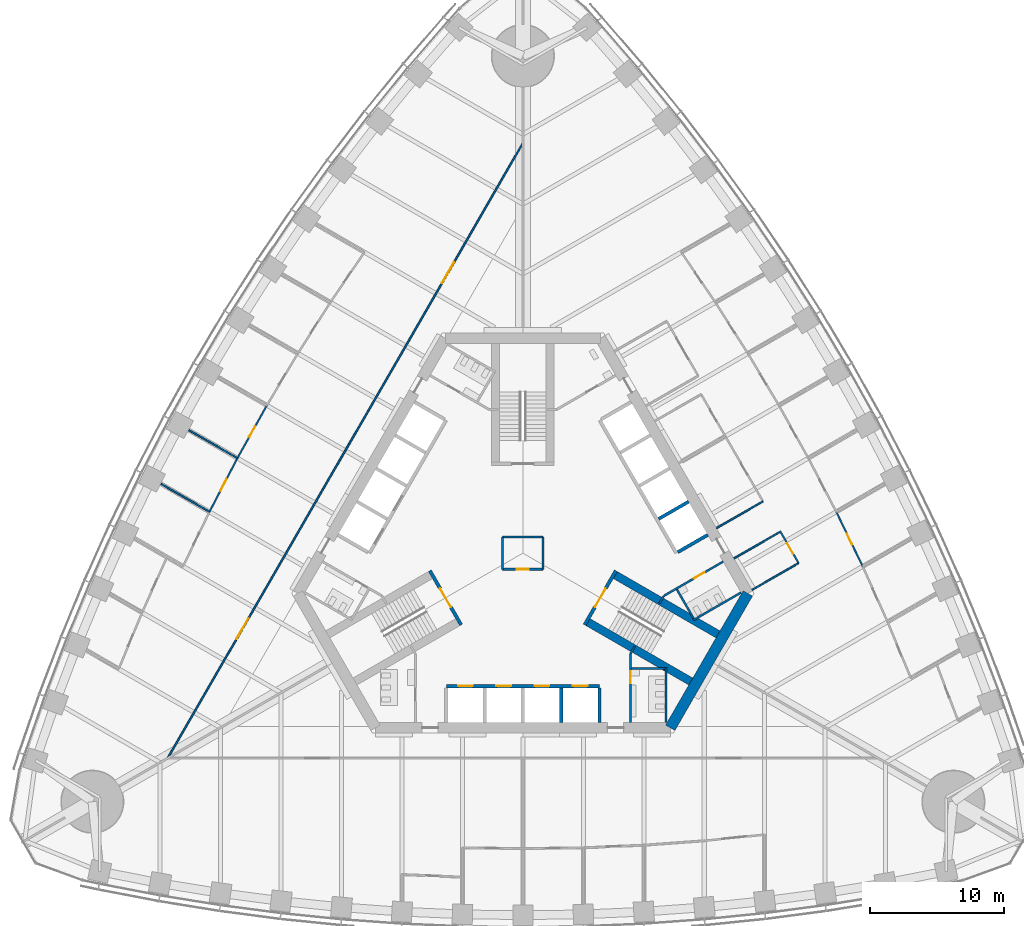
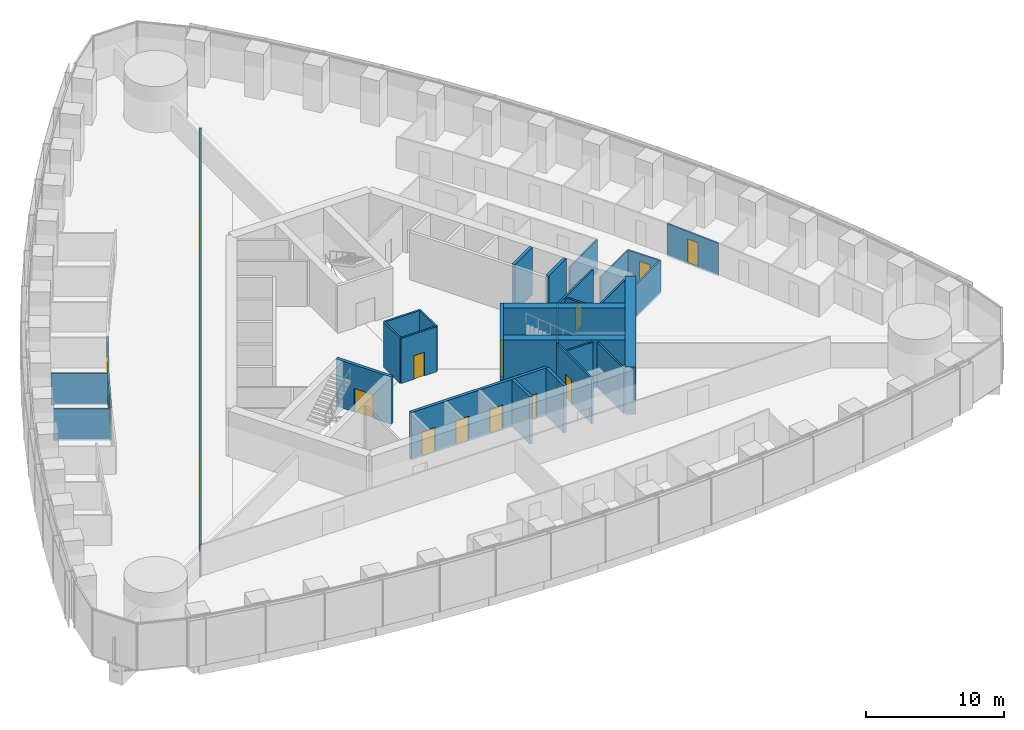
# One storey, part 11 of 18: 32 walls, 15 doors, 15 openings.
"""IFC4 building model written with IfcOpenShell, lengths in metres."""

from ifc_helpers import new_model, si_unit, direction, frame, frame_2d, origin, place, context, subcontext, project, spatial, rectangle, extrude, material, layer, layer_set, type_object, element, fill, save


model = new_model("IFC4")

# Units and contexts
model_context = context("Model", 3, precision=1e-05, world=origin(), true_north=direction((0.0, 1.0)))
body_context = subcontext(model_context, "Body", "Model", "MODEL_VIEW")
ifc_project = project(units=[si_unit("LENGTHUNIT", "METRE"), si_unit("AREAUNIT", "SQUARE_METRE"), si_unit("VOLUMEUNIT", "CUBIC_METRE"), si_unit("PLANEANGLEUNIT", "RADIAN"), si_unit("MASSUNIT", "GRAM", prefix="KILO")], contexts=[model_context])

# Site, building, storey
site_placement = place(None, origin())
site = spatial("IfcSite", under=ifc_project, at=site_placement, CompositionType="ELEMENT")
building_placement = place(site_placement, origin())
building = spatial("IfcBuilding", under=site, at=building_placement, Name="Trefoil Bronze Tower", CompositionType="ELEMENT")
storey_placement = place(building_placement, frame((0.0, 0.0, 58.5)))
storey = spatial("IfcBuildingStorey", under=building, at=storey_placement, Name="L13", CompositionType="ELEMENT", Elevation=58.5)

# Wall
ifc_material_1 = material(Name="Concrete B80", Category="concrete")
ifc_layer_1 = layer(ifc_material_1, 0.800048828125)
ifc_layer_set_1 = layer_set([ifc_layer_1], Name="Core wall 800")
wall_type_1 = type_object("IfcWallType", Name="Core wall 800", PredefinedType="SHEAR", material=ifc_layer_set_1)
wall_1_placement = place(storey_placement, frame((10.9697265625, -13.0, 0.0), z_axis=(0.0, 0.0, 1.0), x_axis=(0.499995765644, 0.866027848477, 0.0)))
element("IfcWall", 1, at=wall_1_placement, inside=storey, type_object=wall_type_1, Name="Core short wall 1 L13", PredefinedType="SHEAR", context=body_context, shape_type="SweptSolid", body=[
    extrude(rectangle(XDim=11.546875, YDim=0.800048828125, at=frame_2d((5.7734375, 0.0))), origin(), (0.0, 0.0, 1.0), 4.199951171875),
])

# Wall, opening, door
ifc_material_2 = material(Name="Glazed partition", Category="glass")
ifc_layer_2 = layer(ifc_material_2, 0.1201171875)
ifc_layer_set_2 = layer_set([ifc_layer_2], Name="Glazed partition 120")
wall_type_2 = type_object("IfcWallType", Name="Glazed partition 120", PredefinedType="PARTITIONING", material=ifc_layer_set_2)
wall_2_placement = place(storey_placement, frame((20.518798828125, -0.73974609375, 0.0), z_axis=(0.0, 0.0, 1.0), x_axis=(-0.4999416173, 0.866059108428, 0.0)))
wall_2 = element("IfcWall", 2, at=wall_2_placement, inside=storey, type_object=wall_type_2, Name="Partition F2 L13", PredefinedType="PARTITIONING", context=body_context, shape_type="SweptSolid", body=[
    extrude(rectangle(XDim=2.699951171875, YDim=0.1201171875, at=frame_2d((1.35009765625, 0.0))), origin(), (0.0, 0.0, 1.0), 2.89990234375),
])
opening_1_placement = place(wall_2_placement, frame((0.800048828125, 0.0, 0.14990234375)))
opening_1 = element("IfcOpeningElement", 3, at=opening_1_placement, cuts=wall_2, Name="Opening D8", PredefinedType="OPENING", context=body_context, shape_type="SweptSolid", body=[
    extrude(rectangle(XDim=0.89990234375, YDim=2.10009765625, at=frame_2d((0.449951171875, 1.050048828125))), frame((0.0, 0.070068359375, 0.0), z_axis=(0.0, -1.0, 0.0), x_axis=(1.0, 0.0, 0.0)), (0.0, 0.0, 1.0), 0.14013671875),
])
ifc_material_3 = material(Name="Timber door", Category="wood")
door_type_1 = type_object("IfcDoorType", Name="Office door 900", OperationType="SINGLE_SWING_LEFT", PredefinedType="DOOR", material=ifc_material_3)
door_1_placement = place(opening_1_placement, origin())
door_1 = element("IfcDoor", 4, at=door_1_placement, inside=storey, type_object=door_type_1, Name="Pantry door F2 L13", OperationType="SINGLE_SWING_LEFT", OverallHeight=2.10009765625, OverallWidth=0.89990234375, PredefinedType="DOOR", context=body_context, shape_type="SweptSolid", body=[
    extrude(rectangle(XDim=0.89990234375, YDim=2.10009765625, at=frame_2d((0.449951171875, 1.050048828125))), frame((0.0, 0.02490234375, 0.0), z_axis=(0.0, -1.0, 0.0), x_axis=(1.0, 0.0, 0.0)), (0.0, 0.0, 1.0), 0.050048828125),
])
fill(opening_1, door_1)

# Walls
for number, where, z_axis, x_axis, name in (
    (5, (17.0546875, -2.73974609375, 0.0), (0.0, 0.0, 1.0), (0.866026010844, 0.49999894854, 0.0), "Partition F2 L13"),
    (6, (14.40478515625, 1.850341796875, 0.0), (0.0, 0.0, 1.0), (0.866026010844, 0.49999894854, 0.0), "Partition F2 L13"),
    (7, (15.704833984375, -0.4013671875, 0.0), (0.0, 0.0, 1.0), (0.866026010844, 0.49999894854, 0.0), "Partition F2 L13"),
):
    element("IfcWall", number, at=place(storey_placement, frame(where, z_axis=z_axis, x_axis=x_axis)), inside=storey, type_object=wall_type_2, Name=name, PredefinedType="PARTITIONING", context=body_context, shape_type="SweptSolid", body=[
        extrude(rectangle(XDim=4.0, YDim=0.1201171875, at=frame_2d((2.0, 0.0))), origin(), (0.0, 0.0, 1.0), 2.89990234375),
    ])

# Wall, opening, door
wall_3_placement = place(storey_placement, frame((25.291748046875, -0.986328125, 0.0), z_axis=(0.0, 0.0, 1.0), x_axis=(-0.435857917556, 0.900015486369, 0.0)))
wall_3 = element("IfcWall", 8, at=wall_3_placement, inside=storey, type_object=wall_type_2, Name="Partition F2 L13", PredefinedType="PARTITIONING", context=body_context, shape_type="SweptSolid", body=[
    extrude(rectangle(XDim=4.511962890625, YDim=0.1201171875, at=frame_2d((2.255859375, 0.0))), origin(), (0.0, 0.0, 1.0), 2.89990234375),
])
opening_2_placement = place(wall_3_placement, frame((1.800048828125, 0.0, 0.14990234375)))
opening_2 = element("IfcOpeningElement", 9, at=opening_2_placement, cuts=wall_3, Name="Opening D8", PredefinedType="OPENING", context=body_context, shape_type="SweptSolid", body=[
    extrude(rectangle(XDim=0.89990234375, YDim=2.10009765625, at=frame_2d((0.449951171875, 1.050048828125))), frame((0.0, 0.070068359375, 0.0), z_axis=(0.0, -1.0, 0.0), x_axis=(1.0, 0.0, 0.0)), (0.0, 0.0, 1.0), 0.14013671875),
])
door_2_placement = place(opening_2_placement, frame((0.89990234375, 0.0, 0.0), z_axis=(0.0, 0.0, 1.0), x_axis=(-1.0, 0.0, 0.0)))
door_2 = element("IfcDoor", 10, at=door_2_placement, inside=storey, type_object=door_type_1, Name="Office door F2 L13", OperationType="SINGLE_SWING_RIGHT", OverallHeight=2.10009765625, OverallWidth=0.89990234375, PredefinedType="DOOR", context=body_context, shape_type="SweptSolid", body=[
    extrude(rectangle(XDim=0.89990234375, YDim=2.10009765625, at=frame_2d((0.449951171875, 1.050048828125))), frame((0.0, 0.02490234375, 0.0), z_axis=(0.0, -1.0, 0.0), x_axis=(1.0, 0.0, 0.0)), (0.0, 0.0, 1.0), 0.050048828125),
])
fill(opening_2, door_2)

# Wall, openings, doors
wall_4_placement = place(storey_placement, frame((-0.016357421875, 30.491455078125, 0.0), z_axis=(0.0, 0.0, 1.0), x_axis=(-0.50000091641, -0.866024874695, 0.0)))
wall_4 = element("IfcWall", 11, at=wall_4_placement, inside=storey, type_object=wall_type_2, Name="Partition F3 L13", PredefinedType="PARTITIONING", context=body_context, shape_type="SweptSolid", body=[
    extrude(rectangle(XDim=52.79638671875, YDim=0.1201171875, at=frame_2d((26.398193359375, 0.0))), origin(), (0.0, 0.0, 1.0), 2.89990234375),
])
opening_3_placement = place(wall_4_placement, frame((10.199951171875, 0.0, 0.14990234375)))
opening_3 = element("IfcOpeningElement", 12, at=opening_3_placement, cuts=wall_4, Name="Opening D10", PredefinedType="OPENING", context=body_context, shape_type="SweptSolid", body=[
    extrude(rectangle(XDim=1.800048828125, YDim=2.10009765625, at=frame_2d((0.89990234375, 1.050048828125))), frame((0.0, 0.070068359375, 0.0), z_axis=(0.0, -1.0, 0.0), x_axis=(1.0, 0.0, 0.0)), (0.0, 0.0, 1.0), 0.14013671875),
])
opening_4_placement = place(wall_4_placement, frame((40.800048828125, 0.0, 0.14990234375)))
opening_4 = element("IfcOpeningElement", 13, at=opening_4_placement, cuts=wall_4, Name="Opening D10", PredefinedType="OPENING", context=body_context, shape_type="SweptSolid", body=[
    extrude(rectangle(XDim=1.800048828125, YDim=2.10009765625, at=frame_2d((0.89990234375, 1.050048828125))), frame((0.0, 0.070068359375, 0.0), z_axis=(0.0, -1.0, 0.0), x_axis=(1.0, 0.0, 0.0)), (0.0, 0.0, 1.0), 0.14013671875),
])
ifc_material_4 = material(Name="Timber door", Category="wood")
door_type_2 = type_object("IfcDoorType", Name="Double door 1800", OperationType="DOUBLE_DOOR_SINGLE_SWING", PredefinedType="DOOR", material=ifc_material_4)
door_3_placement = place(opening_3_placement, origin())
door_3 = element("IfcDoor", 14, at=door_3_placement, inside=storey, type_object=door_type_2, Name="Corridor door F3 L13", OperationType="DOUBLE_DOOR_SINGLE_SWING", OverallHeight=2.10009765625, OverallWidth=1.800048828125, PredefinedType="DOOR", context=body_context, shape_type="SweptSolid", body=[
    extrude(rectangle(XDim=1.800048828125, YDim=2.10009765625, at=frame_2d((0.89990234375, 1.050048828125))), frame((0.0, 0.02490234375, 0.0), z_axis=(0.0, -1.0, 0.0), x_axis=(1.0, 0.0, 0.0)), (0.0, 0.0, 1.0), 0.050048828125),
])
fill(opening_3, door_3)
door_4_placement = place(opening_4_placement, origin())
door_4 = element("IfcDoor", 15, at=door_4_placement, inside=storey, type_object=door_type_2, Name="Corridor door F3 L13", OperationType="DOUBLE_DOOR_SINGLE_SWING", OverallHeight=2.10009765625, OverallWidth=1.800048828125, PredefinedType="DOOR", context=body_context, shape_type="SweptSolid", body=[
    extrude(rectangle(XDim=1.800048828125, YDim=2.10009765625, at=frame_2d((0.89990234375, 1.050048828125))), frame((0.0, 0.02490234375, 0.0), z_axis=(0.0, -1.0, 0.0), x_axis=(1.0, 0.0, 0.0)), (0.0, 0.0, 1.0), 0.050048828125),
])
fill(opening_4, door_4)

# Wall, opening, door
wall_5_placement = place(storey_placement, frame((-19.051513671875, 10.999267578125, 0.0), z_axis=(0.0, 0.0, 1.0), x_axis=(-0.487373854787, -0.873193406795, 0.0)))
wall_5 = element("IfcWall", 16, at=wall_5_placement, inside=storey, type_object=wall_type_2, Name="Partition F3 L13", PredefinedType="PARTITIONING", context=body_context, shape_type="SweptSolid", body=[
    extrude(rectangle(XDim=4.500244140625, YDim=0.1201171875, at=frame_2d((2.25, 0.0))), origin(), (0.0, 0.0, 1.0), 2.89990234375),
])
opening_5_placement = place(wall_5_placement, frame((1.800048828125, 0.0, 0.14990234375)))
opening_5 = element("IfcOpeningElement", 17, at=opening_5_placement, cuts=wall_5, Name="Opening D8", PredefinedType="OPENING", context=body_context, shape_type="SweptSolid", body=[
    extrude(rectangle(XDim=0.89990234375, YDim=2.10009765625, at=frame_2d((0.449951171875, 1.050048828125))), frame((0.0, 0.070068359375, 0.0), z_axis=(0.0, -1.0, 0.0), x_axis=(1.0, 0.0, 0.0)), (0.0, 0.0, 1.0), 0.14013671875),
])
door_5_placement = place(opening_5_placement, frame((0.89990234375, 0.0, 0.0), z_axis=(0.0, 0.0, 1.0), x_axis=(-1.0, 0.0, 0.0)))
door_5 = element("IfcDoor", 18, at=door_5_placement, inside=storey, type_object=door_type_1, Name="Office door F3 L13", OperationType="SINGLE_SWING_RIGHT", OverallHeight=2.10009765625, OverallWidth=0.89990234375, PredefinedType="DOOR", context=body_context, shape_type="SweptSolid", body=[
    extrude(rectangle(XDim=0.89990234375, YDim=2.10009765625, at=frame_2d((0.449951171875, 1.050048828125))), frame((0.0, 0.02490234375, 0.0), z_axis=(0.0, -1.0, 0.0), x_axis=(1.0, 0.0, 0.0)), (0.0, 0.0, 1.0), 0.050048828125),
])
fill(opening_5, door_5)

wall_6_placement = place(storey_placement, frame((-21.244873046875, 7.069580078125, 0.0), z_axis=(0.0, 0.0, 1.0), x_axis=(-0.461852697957, -0.886956642339, 0.0)))
wall_6 = element("IfcWall", 19, at=wall_6_placement, inside=storey, type_object=wall_type_2, Name="Partition F3 L13", PredefinedType="PARTITIONING", context=body_context, shape_type="SweptSolid", body=[
    extrude(rectangle(XDim=4.50439453125, YDim=0.1201171875, at=frame_2d((2.252197265625, 0.0))), origin(), (0.0, 0.0, 1.0), 2.89990234375),
])
opening_6_placement = place(wall_6_placement, frame((1.75, 0.0, 0.14990234375)))
opening_6 = element("IfcOpeningElement", 20, at=opening_6_placement, cuts=wall_6, Name="Opening D9", PredefinedType="OPENING", context=body_context, shape_type="SweptSolid", body=[
    extrude(rectangle(XDim=1.0, YDim=2.10009765625, at=frame_2d((0.5, 1.050048828125))), frame((0.0, 0.070068359375, 0.0), z_axis=(0.0, -1.0, 0.0), x_axis=(1.0, 0.0, 0.0)), (0.0, 0.0, 1.0), 0.14013671875),
])
ifc_material_5 = material(Name="Glazed timber door", Category="wood")
door_type_3 = type_object("IfcDoorType", Name="Meeting room door 1000", OperationType="SINGLE_SWING_LEFT", PredefinedType="DOOR", material=ifc_material_5)
door_6_placement = place(opening_6_placement, frame((1.0, 0.0, 0.0), z_axis=(0.0, 0.0, 1.0), x_axis=(-1.0, 0.0, 0.0)))
door_6 = element("IfcDoor", 21, at=door_6_placement, inside=storey, type_object=door_type_3, Name="Meeting room door F3 L13", OperationType="SINGLE_SWING_RIGHT", OverallHeight=2.10009765625, OverallWidth=1.0, PredefinedType="DOOR", context=body_context, shape_type="SweptSolid", body=[
    extrude(rectangle(XDim=1.0, YDim=2.10009765625, at=frame_2d((0.5, 1.050048828125))), frame((0.0, 0.02490234375, 0.0), z_axis=(0.0, -1.0, 0.0), x_axis=(1.0, 0.0, 0.0)), (0.0, 0.0, 1.0), 0.050048828125),
])
fill(opening_6, door_6)

# Walls
wall_7_placement = place(storey_placement, frame((-21.244873046875, 7.069580078125, 0.0), z_axis=(0.0, 0.0, 1.0), x_axis=(-0.866025669538, 0.499999539701, 0.0)))
element("IfcWall", 22, at=wall_7_placement, inside=storey, type_object=wall_type_2, Name="Partition F3 L13", PredefinedType="PARTITIONING", context=body_context, shape_type="SweptSolid", body=[
    extrude(rectangle(XDim=4.16943359375, YDim=0.1201171875, at=frame_2d((2.084716796875, 0.0))), origin(), (0.0, 0.0, 1.0), 2.800048828125),
])
wall_8_placement = place(storey_placement, frame((-23.3251953125, 3.074462890625, 0.0), z_axis=(0.0, 0.0, 1.0), x_axis=(-0.866009971343, 0.50002672882, 0.0)))
element("IfcWall", 23, at=wall_8_placement, inside=storey, type_object=wall_type_2, Name="Partition F3 L13", PredefinedType="PARTITIONING", context=body_context, shape_type="SweptSolid", body=[
    extrude(rectangle(XDim=4.167236328125, YDim=0.1201171875, at=frame_2d((2.08349609375, 0.0))), origin(), (0.0, 0.0, 1.0), 2.800048828125),
])

# Wall, opening, door
ifc_material_6 = material(Name="Gypsum board on steel studs", Category="steel")
ifc_layer_3 = layer(ifc_material_6, 0.14990234375)
ifc_layer_set_3 = layer_set([ifc_layer_3], Name="Partition 150")
wall_type_3 = type_object("IfcWallType", Name="Partition 150", PredefinedType="PARTITIONING", material=ifc_layer_set_3)
wall_9_placement = place(storey_placement, frame((8.0, -7.5, 0.0), z_axis=(0.0, 0.0, 1.0), x_axis=(0.0, -1.0, 0.0)))
wall_9 = element("IfcWall", 24, at=wall_9_placement, inside=storey, type_object=wall_type_3, Name="Passage wall F1+ L13", PredefinedType="PARTITIONING", context=body_context, shape_type="SweptSolid", body=[
    extrude(rectangle(XDim=5.10009765625, YDim=0.14990234375, at=frame_2d((2.550048828125, 0.0))), origin(), (0.0, 0.0, 1.0), 4.0),
])
opening_7_placement = place(wall_9_placement, frame((1.300048828125, 0.0, 0.0)))
opening_7 = element("IfcOpeningElement", 25, at=opening_7_placement, cuts=wall_9, Name="Opening D3", PredefinedType="OPENING", context=body_context, shape_type="SweptSolid", body=[
    extrude(rectangle(XDim=0.89990234375, YDim=2.10009765625, at=frame_2d((0.449951171875, 1.050048828125))), frame((0.0, 0.0849609375, 0.0), z_axis=(0.0, -1.0, 0.0), x_axis=(1.0, 0.0, 0.0)), (0.0, 0.0, 1.0), 0.169921875),
])
ifc_material_7 = material(Name="Timber door", Category="wood")
door_type_4 = type_object("IfcDoorType", Name="WC door 900", OperationType="SINGLE_SWING_LEFT", PredefinedType="DOOR", material=ifc_material_7)
door_7_placement = place(opening_7_placement, origin())
door_7 = element("IfcDoor", 26, at=door_7_placement, inside=storey, type_object=door_type_4, Name="WC (men) door L13", OperationType="SINGLE_SWING_LEFT", OverallHeight=2.10009765625, OverallWidth=0.89990234375, PredefinedType="DOOR", context=body_context, shape_type="SweptSolid", body=[
    extrude(rectangle(XDim=0.89990234375, YDim=2.10009765625, at=frame_2d((0.449951171875, 1.050048828125))), frame((0.0, 0.02490234375, 0.0), z_axis=(0.0, -1.0, 0.0), x_axis=(1.0, 0.0, 0.0)), (0.0, 0.0, 1.0), 0.050048828125),
])
fill(opening_7, door_7)

wall_10_placement = place(storey_placement, frame((10.4951171875, -3.17822265625, 0.0), z_axis=(0.0, 0.0, 1.0), x_axis=(0.86602216432, 0.500005610874, 0.0)))
wall_10 = element("IfcWall", 27, at=wall_10_placement, inside=storey, type_object=wall_type_3, Name="Passage wall F2- L13", PredefinedType="PARTITIONING", context=body_context, shape_type="SweptSolid", body=[
    extrude(rectangle(XDim=5.10009765625, YDim=0.14990234375, at=frame_2d((2.550048828125, 0.0))), origin(), (0.0, 0.0, 1.0), 4.0),
])
opening_8_placement = place(wall_10_placement, frame((2.60009765625, 0.0, 0.0)))
opening_8 = element("IfcOpeningElement", 28, at=opening_8_placement, cuts=wall_10, Name="Opening D3", PredefinedType="OPENING", context=body_context, shape_type="SweptSolid", body=[
    extrude(rectangle(XDim=0.89990234375, YDim=2.10009765625, at=frame_2d((0.449951171875, 1.050048828125))), frame((0.0, 0.0849609375, 0.0), z_axis=(0.0, -1.0, 0.0), x_axis=(1.0, 0.0, 0.0)), (0.0, 0.0, 1.0), 0.169921875),
])
door_8_placement = place(opening_8_placement, frame((0.89990234375, 0.0, 0.0), z_axis=(0.0, 0.0, 1.0), x_axis=(-1.0, 0.0, 0.0)))
door_8 = element("IfcDoor", 29, at=door_8_placement, inside=storey, type_object=door_type_4, Name="WC (women) door L13", OperationType="SINGLE_SWING_RIGHT", OverallHeight=2.10009765625, OverallWidth=0.89990234375, PredefinedType="DOOR", context=body_context, shape_type="SweptSolid", body=[
    extrude(rectangle(XDim=0.89990234375, YDim=2.10009765625, at=frame_2d((0.449951171875, 1.050048828125))), frame((0.0, 0.02490234375, 0.0), z_axis=(0.0, -1.0, 0.0), x_axis=(1.0, 0.0, 0.0)), (0.0, 0.0, 1.0), 0.050048828125),
])
fill(opening_8, door_8)

# Walls
for number, where, z_axis, x_axis, name in (
    (30, (8.0, -7.5, 0.0), (0.0, 0.0, 1.0), (0.499842556608, 0.866116284689, 0.0), "WC wall ST1-1 L13"),
    (31, (10.4951171875, -3.17822265625, 0.0), (0.0, 0.0, 1.0), (-0.499842556608, -0.866116284689, 0.0), "WC wall ST1+1 L13"),
):
    element("IfcWall", number, at=place(storey_placement, frame(where, z_axis=z_axis, x_axis=x_axis)), inside=storey, type_object=wall_type_3, Name=name, PredefinedType="PARTITIONING", context=body_context, shape_type="SweptSolid", body=[
        extrude(rectangle(XDim=0.645263671875, YDim=0.14990234375, at=frame_2d((0.32275390625, 0.0))), origin(), (0.0, 0.0, 1.0), 4.0),
    ])
wall_11_placement = place(storey_placement, frame((10.659912109375, -8.5, 0.0), z_axis=(0.0, 0.0, 1.0), x_axis=(0.0, -1.0, 0.0)))
element("IfcWall", 32, at=wall_11_placement, inside=storey, type_object=wall_type_3, Name="WC partition WC (men) L13", PredefinedType="PARTITIONING", context=body_context, shape_type="SweptSolid", body=[
    extrude(rectangle(XDim=4.10009765625, YDim=0.14990234375, at=frame_2d((2.050048828125, 0.0))), origin(), (0.0, 0.0, 1.0), 4.0),
])
wall_12_placement = place(storey_placement, frame((8.074951171875, -8.574951171875, 0.0), z_axis=(0.0, 0.0, 1.0), x_axis=(1.0, 0.0, 0.0)))
element("IfcWall", 33, at=wall_12_placement, inside=storey, type_object=wall_type_3, Name="WC partition WC (men) L13", PredefinedType="PARTITIONING", context=body_context, shape_type="SweptSolid", body=[
    extrude(rectangle(XDim=2.510009765625, YDim=0.14990234375, at=frame_2d((1.2548828125, 0.0))), origin(), (0.0, 0.0, 1.0), 4.0),
])
wall_13_placement = place(storey_placement, frame((12.691162109375, -4.98193359375, 0.0), z_axis=(0.0, 0.0, 1.0), x_axis=(0.8660249478, 0.500000789788, 0.0)))
element("IfcWall", 34, at=wall_13_placement, inside=storey, type_object=wall_type_3, Name="WC partition WC (women) L13", PredefinedType="PARTITIONING", context=body_context, shape_type="SweptSolid", body=[
    extrude(rectangle(XDim=4.10009765625, YDim=0.14990234375, at=frame_2d((2.050048828125, 0.0))), origin(), (0.0, 0.0, 1.0), 4.0),
])
wall_14_placement = place(storey_placement, frame((11.463623046875, -2.70556640625, 0.0), z_axis=(0.0, 0.0, 1.0), x_axis=(0.50001992892, -0.866013897511, 0.0)))
element("IfcWall", 35, at=wall_14_placement, inside=storey, type_object=wall_type_3, Name="WC partition WC (women) L13", PredefinedType="PARTITIONING", context=body_context, shape_type="SweptSolid", body=[
    extrude(rectangle(XDim=2.51025390625, YDim=0.14990234375, at=frame_2d((1.255126953125, 0.0))), origin(), (0.0, 0.0, 1.0), 4.0),
])

# Wall, opening, door
ifc_material_8 = material(Name="Gypsum board on steel studs", Category="steel")
ifc_layer_4 = layer(ifc_material_8, 0.14990234375)
ifc_layer_set_4 = layer_set([ifc_layer_4], Name="Riser wall 150")
wall_type_4 = type_object("IfcWallType", Name="Riser wall 150", PredefinedType="PARTITIONING", material=ifc_layer_set_4)
wall_15_placement = place(storey_placement, frame((-1.5, -1.199951171875, 0.0), z_axis=(0.0, 0.0, 1.0), x_axis=(1.0, 0.0, 0.0)))
wall_15 = element("IfcWall", 36, at=wall_15_placement, inside=storey, type_object=wall_type_4, Name="Riser wall L13", PredefinedType="PARTITIONING", context=body_context, shape_type="SweptSolid", body=[
    extrude(rectangle(XDim=3.0, YDim=0.14990234375, at=frame_2d((1.5, 0.0))), origin(), (0.0, 0.0, 1.0), 4.0),
])
opening_9_placement = place(wall_15_placement, frame((1.050048828125, 0.0, 0.0)))
opening_9 = element("IfcOpeningElement", 37, at=opening_9_placement, cuts=wall_15, Name="Opening D4", PredefinedType="OPENING", context=body_context, shape_type="SweptSolid", body=[
    extrude(rectangle(XDim=0.89990234375, YDim=2.10009765625, at=frame_2d((0.449951171875, 1.050048828125))), frame((0.0, 0.0849609375, 0.0), z_axis=(0.0, -1.0, 0.0), x_axis=(1.0, 0.0, 0.0)), (0.0, 0.0, 1.0), 0.169921875),
])
ifc_material_9 = material(Name="Steel door", Category="steel")
door_type_5 = type_object("IfcDoorType", Name="Riser door 900", OperationType="SINGLE_SWING_LEFT", PredefinedType="DOOR", material=ifc_material_9)
door_9_placement = place(opening_9_placement, frame((0.89990234375, 0.0, 0.0), z_axis=(0.0, 0.0, 1.0), x_axis=(-1.0, 0.0, 0.0)))
door_9 = element("IfcDoor", 38, at=door_9_placement, inside=storey, type_object=door_type_5, Name="Riser door L13", OperationType="SINGLE_SWING_LEFT", OverallHeight=2.10009765625, OverallWidth=0.89990234375, PredefinedType="DOOR", context=body_context, shape_type="SweptSolid", body=[
    extrude(rectangle(XDim=0.89990234375, YDim=2.10009765625, at=frame_2d((0.449951171875, 1.050048828125))), frame((0.0, 0.02490234375, 0.0), z_axis=(0.0, -1.0, 0.0), x_axis=(1.0, 0.0, 0.0)), (0.0, 0.0, 1.0), 0.050048828125),
])
fill(opening_9, door_9)

# Walls
wall_16_placement = place(storey_placement, frame((1.5, -1.199951171875, 0.0), z_axis=(0.0, 0.0, 1.0), x_axis=(0.0, 1.0, 0.0)))
element("IfcWall", 39, at=wall_16_placement, inside=storey, type_object=wall_type_4, Name="Riser wall L13", PredefinedType="PARTITIONING", context=body_context, shape_type="SweptSolid", body=[
    extrude(rectangle(XDim=2.39990234375, YDim=0.14990234375, at=frame_2d((1.199951171875, 0.0))), origin(), (0.0, 0.0, 1.0), 4.0),
])
wall_17_placement = place(storey_placement, frame((1.5, 1.199951171875, 0.0), z_axis=(0.0, 0.0, 1.0), x_axis=(-1.0, 0.0, 0.0)))
element("IfcWall", 40, at=wall_17_placement, inside=storey, type_object=wall_type_4, Name="Riser wall L13", PredefinedType="PARTITIONING", context=body_context, shape_type="SweptSolid", body=[
    extrude(rectangle(XDim=3.0, YDim=0.14990234375, at=frame_2d((1.5, 0.0))), origin(), (0.0, 0.0, 1.0), 4.0),
])
wall_18_placement = place(storey_placement, frame((-1.5, 1.199951171875, 0.0), z_axis=(0.0, 0.0, 1.0), x_axis=(0.0, -1.0, 0.0)))
element("IfcWall", 41, at=wall_18_placement, inside=storey, type_object=wall_type_4, Name="Riser wall L13", PredefinedType="PARTITIONING", context=body_context, shape_type="SweptSolid", body=[
    extrude(rectangle(XDim=2.39990234375, YDim=0.14990234375, at=frame_2d((1.199951171875, 0.0))), origin(), (0.0, 0.0, 1.0), 4.0),
])

# Wall, openings, doors
ifc_material_10 = material(Name="Concrete B80", Category="concrete")
ifc_layer_5 = layer(ifc_material_10, 0.25)
ifc_layer_set_5 = layer_set([ifc_layer_5], Name="Shaft wall 250")
wall_type_5 = type_object("IfcWallType", Name="Shaft wall 250", PredefinedType="SHEAR", material=ifc_layer_set_5)
wall_19_placement = place(storey_placement, frame((-5.699951171875, -9.89990234375, 0.0), z_axis=(0.0, 0.0, 1.0), x_axis=(1.0, 0.0, 0.0)))
wall_19 = element("IfcWall", 42, at=wall_19_placement, inside=storey, type_object=wall_type_5, Name="Lift shaft front wall A L13", PredefinedType="SHEAR", context=body_context, shape_type="SweptSolid", body=[
    extrude(rectangle(XDim=11.39990234375, YDim=0.25, at=frame_2d((5.699951171875, 0.0))), origin(), (0.0, 0.0, 1.0), 4.199951171875),
])
opening_10_placement = place(wall_19_placement, frame((0.875, 0.0, 0.0)))
opening_10 = element("IfcOpeningElement", 43, at=opening_10_placement, cuts=wall_19, Name="Opening LD-P11", PredefinedType="OPENING", context=body_context, shape_type="SweptSolid", body=[
    extrude(rectangle(XDim=1.10009765625, YDim=2.199951171875, at=frame_2d((0.550048828125, 1.10009765625))), frame((0.0, 0.135009765625, 0.0), z_axis=(0.0, -1.0, 0.0), x_axis=(1.0, 0.0, 0.0)), (0.0, 0.0, 1.0), 0.27001953125),
])
opening_11_placement = place(wall_19_placement, frame((3.72509765625, 0.0, 0.0)))
opening_11 = element("IfcOpeningElement", 44, at=opening_11_placement, cuts=wall_19, Name="Opening LD-P12", PredefinedType="OPENING", context=body_context, shape_type="SweptSolid", body=[
    extrude(rectangle(XDim=1.10009765625, YDim=2.199951171875, at=frame_2d((0.550048828125, 1.10009765625))), frame((0.0, 0.135009765625, 0.0), z_axis=(0.0, -1.0, 0.0), x_axis=(1.0, 0.0, 0.0)), (0.0, 0.0, 1.0), 0.27001953125),
])
opening_12_placement = place(wall_19_placement, frame((6.574951171875, 0.0, 0.0)))
opening_12 = element("IfcOpeningElement", 45, at=opening_12_placement, cuts=wall_19, Name="Opening LD-P13", PredefinedType="OPENING", context=body_context, shape_type="SweptSolid", body=[
    extrude(rectangle(XDim=1.10009765625, YDim=2.199951171875, at=frame_2d((0.550048828125, 1.10009765625))), frame((0.0, 0.135009765625, 0.0), z_axis=(0.0, -1.0, 0.0), x_axis=(1.0, 0.0, 0.0)), (0.0, 0.0, 1.0), 0.27001953125),
])
opening_13_placement = place(wall_19_placement, frame((9.425048828125, 0.0, 0.0)))
opening_13 = element("IfcOpeningElement", 46, at=opening_13_placement, cuts=wall_19, Name="Opening LD-P14", PredefinedType="OPENING", context=body_context, shape_type="SweptSolid", body=[
    extrude(rectangle(XDim=1.10009765625, YDim=2.199951171875, at=frame_2d((0.550048828125, 1.10009765625))), frame((0.0, 0.135009765625, 0.0), z_axis=(0.0, -1.0, 0.0), x_axis=(1.0, 0.0, 0.0)), (0.0, 0.0, 1.0), 0.27001953125),
])
ifc_material_11 = material(Name="Steel door", Category="steel")
door_type_6 = type_object("IfcDoorType", Name="Lift landing door 1100", OperationType="DOUBLE_DOOR_SLIDING", PredefinedType="DOOR", material=ifc_material_11)
door_10_placement = place(opening_10_placement, origin())
door_10 = element("IfcDoor", 47, at=door_10_placement, inside=storey, type_object=door_type_6, Name="Lift P11 landing door L13", OperationType="DOUBLE_DOOR_SLIDING", OverallHeight=2.199951171875, OverallWidth=1.10009765625, PredefinedType="DOOR", context=body_context, shape_type="SweptSolid", body=[
    extrude(rectangle(XDim=1.10009765625, YDim=2.199951171875, at=frame_2d((0.550048828125, 1.10009765625))), frame((0.0, 0.02490234375, 0.0), z_axis=(0.0, -1.0, 0.0), x_axis=(1.0, 0.0, 0.0)), (0.0, 0.0, 1.0), 0.050048828125),
])
fill(opening_10, door_10)
door_11_placement = place(opening_11_placement, origin())
door_11 = element("IfcDoor", 48, at=door_11_placement, inside=storey, type_object=door_type_6, Name="Lift P12 landing door L13", OperationType="DOUBLE_DOOR_SLIDING", OverallHeight=2.199951171875, OverallWidth=1.10009765625, PredefinedType="DOOR", context=body_context, shape_type="SweptSolid", body=[
    extrude(rectangle(XDim=1.10009765625, YDim=2.199951171875, at=frame_2d((0.550048828125, 1.10009765625))), frame((0.0, 0.02490234375, 0.0), z_axis=(0.0, -1.0, 0.0), x_axis=(1.0, 0.0, 0.0)), (0.0, 0.0, 1.0), 0.050048828125),
])
fill(opening_11, door_11)
door_12_placement = place(opening_12_placement, origin())
door_12 = element("IfcDoor", 49, at=door_12_placement, inside=storey, type_object=door_type_6, Name="Lift P13 landing door L13", OperationType="DOUBLE_DOOR_SLIDING", OverallHeight=2.199951171875, OverallWidth=1.10009765625, PredefinedType="DOOR", context=body_context, shape_type="SweptSolid", body=[
    extrude(rectangle(XDim=1.10009765625, YDim=2.199951171875, at=frame_2d((0.550048828125, 1.10009765625))), frame((0.0, 0.02490234375, 0.0), z_axis=(0.0, -1.0, 0.0), x_axis=(1.0, 0.0, 0.0)), (0.0, 0.0, 1.0), 0.050048828125),
])
fill(opening_12, door_12)
door_13_placement = place(opening_13_placement, origin())
door_13 = element("IfcDoor", 50, at=door_13_placement, inside=storey, type_object=door_type_6, Name="Lift P14 landing door L13", OperationType="DOUBLE_DOOR_SLIDING", OverallHeight=2.199951171875, OverallWidth=1.10009765625, PredefinedType="DOOR", context=body_context, shape_type="SweptSolid", body=[
    extrude(rectangle(XDim=1.10009765625, YDim=2.199951171875, at=frame_2d((0.550048828125, 1.10009765625))), frame((0.0, 0.02490234375, 0.0), z_axis=(0.0, -1.0, 0.0), x_axis=(1.0, 0.0, 0.0)), (0.0, 0.0, 1.0), 0.050048828125),
])
fill(opening_13, door_13)

# Walls
for number, where, z_axis, x_axis, name in (
    (51, (2.85009765625, -10.02490234375, 0.0), (0.0, 0.0, 1.0), (0.0, -1.0, 0.0), "Lift shaft side wall A3 L13"),
    (52, (5.699951171875, -10.02490234375, 0.0), (0.0, 0.0, 1.0), (0.0, -1.0, 0.0), "Lift shaft side wall A4 L13"),
):
    element("IfcWall", number, at=place(storey_placement, frame(where, z_axis=z_axis, x_axis=x_axis)), inside=storey, type_object=wall_type_5, Name=name, PredefinedType="SHEAR", context=body_context, shape_type="SweptSolid", body=[
        extrude(rectangle(XDim=2.5751953125, YDim=0.25, at=frame_2d((1.28759765625, 0.0))), origin(), (0.0, 0.0, 1.0), 4.199951171875),
    ])
for number, where, z_axis, x_axis, name in (
    (53, (11.531982421875, 0.076171875, 0.0), (0.0, 0.0, 1.0), (0.866005588531, 0.500034319456, 0.0), "Lift shaft side wall B0 L13"),
    (54, (10.10693359375, 2.54443359375, 0.0), (0.0, 0.0, 1.0), (0.866046643894, 0.499963209246, 0.0), "Lift shaft side wall B1 L13"),
):
    element("IfcWall", number, at=place(storey_placement, frame(where, z_axis=z_axis, x_axis=x_axis)), inside=storey, type_object=wall_type_5, Name=name, PredefinedType="SHEAR", context=body_context, shape_type="SweptSolid", body=[
        extrude(rectangle(XDim=2.574951171875, YDim=0.25, at=frame_2d((1.28759765625, 0.0))), origin(), (0.0, 0.0, 1.0), 4.199951171875),
    ])

# Wall, opening, door
wall_20_placement = place(storey_placement, frame((4.5966796875, -5.338623046875, 0.0), z_axis=(0.0, 0.0, 1.0), x_axis=(0.499984536904, 0.866034331223, 0.0)))
wall_20 = element("IfcWall", 55, at=wall_20_placement, inside=storey, type_object=wall_type_5, Name="Stair end wall ST1 L13", PredefinedType="SHEAR", context=body_context, shape_type="SweptSolid", body=[
    extrude(rectangle(XDim=4.650146484375, YDim=0.25, at=frame_2d((2.3251953125, 0.0))), origin(), (0.0, 0.0, 1.0), 4.199951171875),
])
opening_14_placement = place(wall_20_placement, frame((1.52490234375, 0.0, 0.0)))
opening_14 = element("IfcOpeningElement", 56, at=opening_14_placement, cuts=wall_20, Name="Opening D1", PredefinedType="OPENING", context=body_context, shape_type="SweptSolid", body=[
    extrude(rectangle(XDim=1.60009765625, YDim=2.10009765625, at=frame_2d((0.800048828125, 1.050048828125))), frame((0.0, 0.135009765625, 0.0), z_axis=(0.0, -1.0, 0.0), x_axis=(1.0, 0.0, 0.0)), (0.0, 0.0, 1.0), 0.27001953125),
])
ifc_material_12 = material(Name="Steel door", Category="steel")
door_type_7 = type_object("IfcDoorType", Name="Stair door 1600", OperationType="DOUBLE_DOOR_SINGLE_SWING", PredefinedType="DOOR", material=ifc_material_12)
door_14_placement = place(opening_14_placement, frame((1.60009765625, 0.0, 0.0), z_axis=(0.0, 0.0, 1.0), x_axis=(-1.0, 0.0, 0.0)))
door_14 = element("IfcDoor", 57, at=door_14_placement, inside=storey, type_object=door_type_7, Name="Stair door ST1 L13", OperationType="DOUBLE_DOOR_SINGLE_SWING", OverallHeight=2.10009765625, OverallWidth=1.60009765625, PredefinedType="DOOR", context=body_context, shape_type="SweptSolid", body=[
    extrude(rectangle(XDim=1.60009765625, YDim=2.10009765625, at=frame_2d((0.800048828125, 1.050048828125))), frame((0.0, 0.02490234375, 0.0), z_axis=(0.0, -1.0, 0.0), x_axis=(1.0, 0.0, 0.0)), (0.0, 0.0, 1.0), 0.050048828125),
])
fill(opening_14, door_14)

wall_21_placement = place(storey_placement, frame((-6.921630859375, -1.3115234375, 0.0), z_axis=(0.0, 0.0, 1.0), x_axis=(0.499984536904, -0.866034331223, 0.0)))
wall_21 = element("IfcWall", 58, at=wall_21_placement, inside=storey, type_object=wall_type_5, Name="Stair end wall ST3 L13", PredefinedType="SHEAR", context=body_context, shape_type="SweptSolid", body=[
    extrude(rectangle(XDim=4.650146484375, YDim=0.25, at=frame_2d((2.3251953125, 0.0))), origin(), (0.0, 0.0, 1.0), 4.199951171875),
])
opening_15_placement = place(wall_21_placement, frame((1.52490234375, 0.0, 0.0)))
opening_15 = element("IfcOpeningElement", 59, at=opening_15_placement, cuts=wall_21, Name="Opening D1", PredefinedType="OPENING", context=body_context, shape_type="SweptSolid", body=[
    extrude(rectangle(XDim=1.60009765625, YDim=2.10009765625, at=frame_2d((0.800048828125, 1.050048828125))), frame((0.0, 0.135009765625, 0.0), z_axis=(0.0, -1.0, 0.0), x_axis=(1.0, 0.0, 0.0)), (0.0, 0.0, 1.0), 0.27001953125),
])
door_15_placement = place(opening_15_placement, frame((1.60009765625, 0.0, 0.0), z_axis=(0.0, 0.0, 1.0), x_axis=(-1.0, 0.0, 0.0)))
door_15 = element("IfcDoor", 60, at=door_15_placement, inside=storey, type_object=door_type_7, Name="Stair door ST3 L13", OperationType="DOUBLE_DOOR_SINGLE_SWING", OverallHeight=2.10009765625, OverallWidth=1.60009765625, PredefinedType="DOOR", context=body_context, shape_type="SweptSolid", body=[
    extrude(rectangle(XDim=1.60009765625, YDim=2.10009765625, at=frame_2d((0.800048828125, 1.050048828125))), frame((0.0, 0.02490234375, 0.0), z_axis=(0.0, -1.0, 0.0), x_axis=(1.0, 0.0, 0.0)), (0.0, 0.0, 1.0), 0.050048828125),
])
fill(opening_15, door_15)

# Walls
ifc_material_13 = material(Name="Concrete B80", Category="concrete")
ifc_layer_6 = layer(ifc_material_13, 0.60009765625)
ifc_layer_set_6 = layer_set([ifc_layer_6], Name="Stair wall 600")
wall_type_6 = type_object("IfcWallType", Name="Stair wall 600", PredefinedType="SHEAR", material=ifc_layer_set_6)
for number, where, z_axis, x_axis, name in (
    (61, (4.638427734375, -5.01611328125, 0.0), (0.0, 0.0, 1.0), (0.866019375473, -0.500010441196, 0.0), "Stair wall ST1 L13"),
    (62, (6.663330078125, -1.5087890625, 0.0), (0.0, 0.0, 1.0), (0.866019375473, -0.500010441196, 0.0), "Stair wall ST1 L13"),
):
    element("IfcWall", number, at=place(storey_placement, frame(where, z_axis=z_axis, x_axis=x_axis)), inside=storey, type_object=wall_type_6, Name=name, PredefinedType="SHEAR", context=body_context, shape_type="SweptSolid", body=[
        extrude(rectangle(XDim=9.074951171875, YDim=0.60009765625, at=frame_2d((4.53759765625, 0.0))), origin(), (0.0, 0.0, 1.0), 4.199951171875),
    ])

save(model, "model.ifc")
